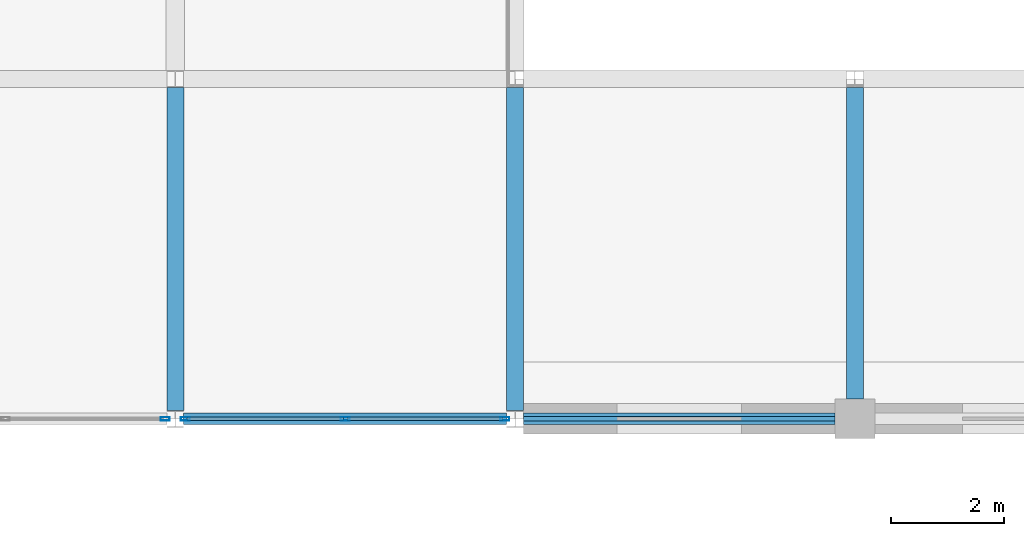
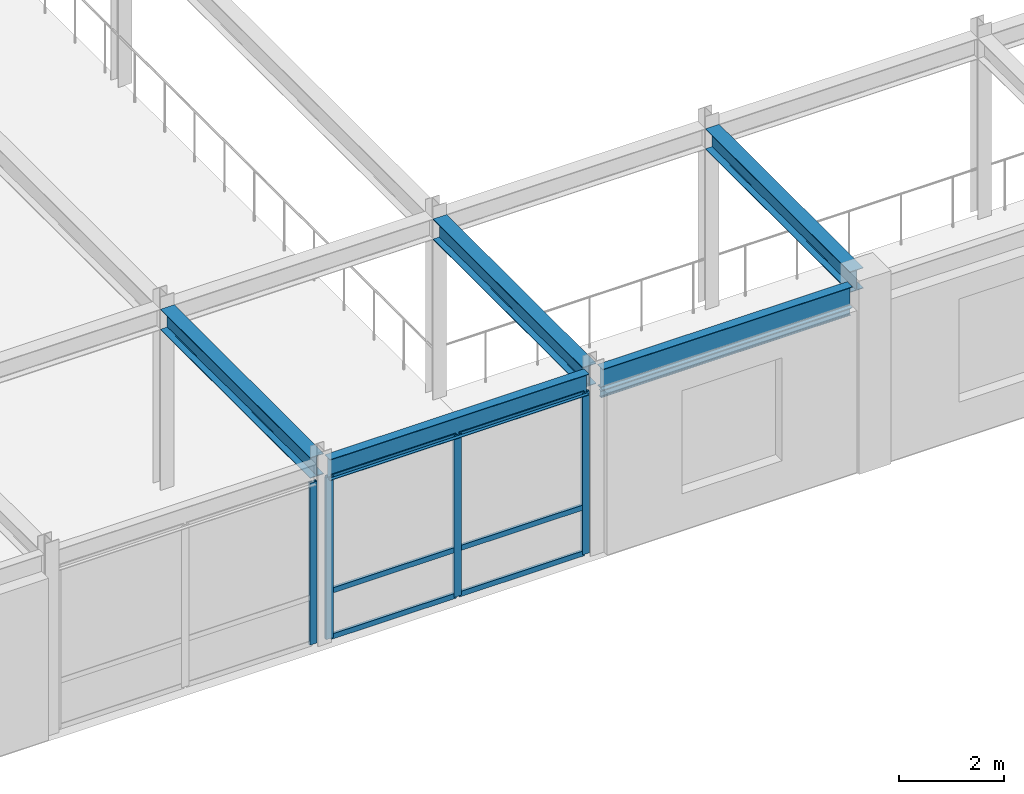
# One storey, part 52 of 108: 10 members, 6 beams, 2 elements without a shape of their own.
"""IFC4 building model written with IfcOpenShell, lengths in metres."""

import ifcopenshell
import ifcopenshell.guid

model = None  # the IFC model being written
_history = None  # IfcOwnerHistory: only IFC2X3 demands one
_inside = {}  # id of a spatial element -> (the spatial element, [elements in it])
_under = {}  # id of a project, library or spatial element -> (it, [spatial elements below it])
_declared = {}  # id of a project -> (the project, [libraries it declares])
_typed = {}  # id of a type object -> (the type object, [elements of that type])
_made_of = {}  # id of a material, layer set ... -> (it, [elements and type objects made of it])


def new_model(schema):
    """Start an empty IFC model of exactly this schema.

    Asked for "IFC4X3", IfcOpenShell would pick the latest addendum, in which some entities
    have other attributes; the version numbers below select the first issue.
    IFC2X3 requires an IfcOwnerHistory on every rooted entity: one is made here for all.
    """
    global model, _history
    if schema == "IFC4X3":
        model = ifcopenshell.file(schema_version=(4, 3, 0, 0))
    else:
        model = ifcopenshell.file(schema=schema)
    _inside.clear()
    _under.clear()
    _declared.clear()
    _typed.clear()
    _made_of.clear()
    _history = None
    if model.schema == "IFC2X3":
        org = make("IfcOrganization", Name="unknown")
        user = make(
            "IfcPersonAndOrganization",
            ThePerson=make("IfcPerson", FamilyName="unknown"),
            TheOrganization=org,
        )
        app = make(
            "IfcApplication",
            ApplicationDeveloper=org,
            Version="unknown",
            ApplicationFullName="unknown",
            ApplicationIdentifier="unknown",
        )
        _history = make(
            "IfcOwnerHistory",
            OwningUser=user,
            OwningApplication=app,
            ChangeAction="ADDED",
            CreationDate=0,
        )
    return model


def make(cls, **values):
    """One entity of the class cls with the attributes given. An attribute that is None is left unset."""
    return model.create_entity(
        cls, **{name: value for name, value in values.items() if value is not None}
    )


def rooted(cls, **values):
    """An entity with a GlobalId (a new one), such as an element, a storey or a relation."""
    return make(cls, GlobalId=ifcopenshell.guid.new(), OwnerHistory=_history, **values)


def si_unit(unit_type, name, prefix=None):
    """IfcSIUnit, for example si_unit("LENGTHUNIT", "METRE", prefix="MILLI")."""
    return make("IfcSIUnit", UnitType=unit_type, Prefix=prefix, Name=name)


def assignment(units):
    """IfcUnitAssignment: the units of a project."""
    return None if units is None else make("IfcUnitAssignment", Units=units)


def point(xyz):
    """IfcCartesianPoint."""
    return None if xyz is None else make("IfcCartesianPoint", Coordinates=xyz)


def direction(xyz):
    """IfcDirection."""
    return None if xyz is None else make("IfcDirection", DirectionRatios=xyz)


def frame(location, z_axis=None, x_axis=None):
    """IfcAxis2Placement3D, a coordinate frame: its origin and axes. An axis left out is left unset."""
    return make(
        "IfcAxis2Placement3D",
        Location=point(location),
        Axis=direction(z_axis),
        RefDirection=direction(x_axis),
    )


def frame_2d(location, x_axis=None):
    """IfcAxis2Placement2D, a coordinate frame in the plane: its origin and x axis."""
    return make(
        "IfcAxis2Placement2D", Location=point(location), RefDirection=direction(x_axis)
    )


def origin():
    """The frame at (0, 0, 0) with its axes left unset."""
    return frame((0.0, 0.0, 0.0))


def origin_2d():
    """The frame at (0, 0) in the plane with its x axis left unset."""
    return frame_2d((0.0, 0.0))


def place(relative_to, where):
    """IfcLocalPlacement: puts the frame where relative to a parent placement (None: the world)."""
    return make(
        "IfcLocalPlacement", PlacementRelTo=relative_to, RelativePlacement=where
    )


def context(
    kind, dimensions, precision=None, world=None, true_north=None, identifier=None
):
    """IfcGeometricRepresentationContext, for example the 3D "Model" context."""
    return make(
        "IfcGeometricRepresentationContext",
        ContextIdentifier=identifier,
        ContextType=kind,
        CoordinateSpaceDimension=dimensions,
        Precision=precision,
        WorldCoordinateSystem=world,
        TrueNorth=true_north,
    )


def subcontext(parent, identifier, kind, view, scale=None):
    """IfcGeometricRepresentationSubContext, for example "Body" below "Model"."""
    return make(
        "IfcGeometricRepresentationSubContext",
        ContextIdentifier=identifier,
        ContextType=kind,
        ParentContext=parent,
        TargetScale=scale,
        TargetView=view,
    )


def project(units=None, contexts=None):
    """IfcProject with its units and contexts."""
    return rooted(
        "IfcProject",
        Name="project",
        RepresentationContexts=contexts,
        UnitsInContext=assignment(units),
    )


def spatial(cls, under=None, at=None, **own):
    """A site, building, storey or space (cls), placed at a placement, below another one or the project."""
    s = rooted(cls, ObjectPlacement=at, **own)
    if under is not None:
        _under.setdefault(under.id(), (under, []))[1].append(s)
    return s


def profile(cls, at=None, kind="AREA", **sizes):
    """A parametric profile (cls). Its sizes go by their IFC names, for example OverallWidth=200.0."""
    return make(cls, ProfileType=kind, Position=at, **sizes)


def hollow_rectangle(**sizes):
    """IfcRectangleHollowProfileDef."""
    return profile("IfcRectangleHollowProfileDef", **sizes)


def i_section(**sizes):
    """IfcIShapeProfileDef."""
    return profile("IfcIShapeProfileDef", **sizes)


def extrude(swept, where, along, depth):
    """IfcExtrudedAreaSolid: the profile swept, set in the frame where, extruded along a direction by depth."""
    return make(
        "IfcExtrudedAreaSolid",
        SweptArea=swept,
        Position=where,
        ExtrudedDirection=direction(along),
        Depth=depth,
    )


def shape(context_of_items, identifier, shape_type, items):
    """IfcShapeRepresentation: the items that make up one representation, for example the "Body"."""
    return make(
        "IfcShapeRepresentation",
        ContextOfItems=context_of_items,
        RepresentationIdentifier=identifier,
        RepresentationType=shape_type,
        Items=items,
    )


def material(Name=None, Category=None):
    """IfcMaterial."""
    return make("IfcMaterial", Name=Name, Category=Category)


def layer(
    of_material, thickness, ventilated=None, Name=None, Category=None, Priority=None
):
    """IfcMaterialLayer: one layer of a wall or slab, of a material (None: an air gap)."""
    return make(
        "IfcMaterialLayer",
        Material=of_material,
        LayerThickness=thickness,
        IsVentilated=ventilated,
        Name=Name,
        Category=Category,
        Priority=Priority,
    )


def layer_set(layers, Name=None):
    """IfcMaterialLayerSet."""
    return make("IfcMaterialLayerSet", MaterialLayers=layers, LayerSetName=Name)


def material_profile(
    of_material, cross_section, Name=None, Category=None, Priority=None
):
    """IfcMaterialProfile: a cross section and its material."""
    return make(
        "IfcMaterialProfile",
        Name=Name,
        Material=of_material,
        Profile=cross_section,
        Priority=Priority,
        Category=Category,
    )


def profile_set(profiles, Name=None, composite=None):
    """IfcMaterialProfileSet."""
    return make(
        "IfcMaterialProfileSet",
        Name=Name,
        MaterialProfiles=profiles,
        CompositeProfile=composite,
    )


def made_of(thing, what):
    """Note that an element or type object is made of a material, layer set ...; save() writes the relation."""
    if what is not None:
        _made_of.setdefault(what.id(), (what, []))[1].append(thing)
    return thing


def type_object(cls, material=None, **own):
    """A type object (cls), such as IfcWallType, which elements share."""
    return made_of(rooted(cls, **own), material)


def element(
    cls,
    number,
    at=None,
    inside=None,
    cuts=None,
    type_object=None,
    material=None,
    context=None,
    identifier="Body",
    shape_type=None,
    held_by="IfcProductDefinitionShape",
    body=None,
    shapes=None,
    **own,
):
    """One element of the class cls, such as IfcWall. Its Tag is "e" and its number.

    at: its placement. inside: the storey or other place that contains it. cuts: it is an
    opening in that element (IfcRelVoidsElement). A single representation is given by context,
    identifier, shape_type and body (its items); several are given by shapes. held_by: the class
    of the entity that holds the representations. save() writes the other relations.
    """
    e = rooted(cls, Tag="e%d" % number, ObjectPlacement=at, **own)
    if body is not None:
        shapes = [shape(context, identifier, shape_type, body)]
    if shapes is not None:
        e.Representation = make(held_by, Representations=shapes)
    if inside is not None:
        _inside.setdefault(inside.id(), (inside, []))[1].append(e)
    if cuts is not None:
        rooted(
            "IfcRelVoidsElement", RelatingBuildingElement=cuts, RelatedOpeningElement=e
        )
    if type_object is not None:
        _typed.setdefault(type_object.id(), (type_object, []))[1].append(e)
    return made_of(e, material)


def aggregate(whole, parts):
    """IfcRelAggregates: a whole, such as a stair, and the parts it consists of."""
    return rooted("IfcRelAggregates", RelatingObject=whole, RelatedObjects=parts)


def save(model, path):
    """Write the relations noted so far, then the file.

    IfcRelAggregates (storeys below a building ...), IfcRelContainedInSpatialStructure (elements
    in a storey), IfcRelDefinesByType, IfcRelAssociatesMaterial and IfcRelDeclares: one each for
    every whole, place, type object, material and project.
    """
    for whole, parts in _under.values():
        aggregate(whole, parts)
    for where, things in _inside.values():
        rooted(
            "IfcRelContainedInSpatialStructure",
            RelatedElements=things,
            RelatingStructure=where,
        )
    for kind, things in _typed.values():
        rooted("IfcRelDefinesByType", RelatedObjects=things, RelatingType=kind)
    for what, things in _made_of.values():
        rooted("IfcRelAssociatesMaterial", RelatedObjects=things, RelatingMaterial=what)
    for by, libraries in _declared.values():
        rooted("IfcRelDeclares", RelatingContext=by, RelatedDefinitions=libraries)
    model.write(path)


model = new_model("IFC4")

# Units and contexts
model_context = context("Model", 3, precision=1e-05, world=origin(), true_north=direction((0.0, 1.0)))
body_context = subcontext(model_context, "Body", "Model", "MODEL_VIEW")
ifc_project = project(units=[si_unit("LENGTHUNIT", "METRE"), si_unit("AREAUNIT", "SQUARE_METRE"), si_unit("VOLUMEUNIT", "CUBIC_METRE"), si_unit("PLANEANGLEUNIT", "RADIAN"), si_unit("MASSUNIT", "GRAM", prefix="KILO")], contexts=[model_context])

# Site, building, storey
site_placement = place(None, origin())
site = spatial("IfcSite", under=ifc_project, at=site_placement, CompositionType="ELEMENT")
building_placement = place(site_placement, origin())
building = spatial("IfcBuilding", under=site, at=building_placement, Name="Zlatovratsky Civic Hall", CompositionType="ELEMENT")
storey_placement = place(building_placement, frame((0.0, 0.0, 12.0)))
storey = spatial("IfcBuildingStorey", under=building, at=storey_placement, Name="L03", CompositionType="ELEMENT", Elevation=12.0)

# Beams
ifc_material_1 = material(Name="Steel S355", Category="steel")
ifc_material_profile_1 = material_profile(ifc_material_1, i_section(OverallWidth=0.300048828125, OverallDepth=0.48193359375, WebThickness=0.010986328125, FlangeThickness=0.014892578125, FilletRadius=0.02392578125, at=origin_2d()), Name="50Sh1")
ifc_profile_set_1 = profile_set([ifc_material_profile_1], Name="Steel S355")
beam_type_1 = type_object("IfcBeamType", Name="Beam_LibraryGirder_50Sh1", PredefinedType="BEAM", material=ifc_profile_set_1)
for number, where, z_axis, x_axis, name in (
    (1, (66.0, 12.14794921875, 3.97900390625), (0.0, 1.0, 0.0), (-1.0, 0.0, 0.0), "BM-2916"),
    (2, (72.0, 12.14794921875, 3.97900390625), (0.0, 1.0, 0.0), (-1.0, 0.0, 0.0), "BM-2932"),
):
    element("IfcBeam", number, at=place(storey_placement, frame(where, z_axis=z_axis, x_axis=x_axis)), inside=storey, type_object=beam_type_1, Name=name, PredefinedType="BEAM", context=body_context, shape_type="SweptSolid", body=[
        extrude(i_section(OverallWidth=0.300048828125, OverallDepth=0.48193359375, WebThickness=0.010986328125, FlangeThickness=0.014892578125, FilletRadius=0.02392578125, at=origin_2d()), origin(), (0.0, 0.0, 1.0), 5.7041015625),
    ])
beam_1_placement = place(storey_placement, frame((78.0, 12.35009765625, 3.97900390625), z_axis=(0.0, 1.0, 0.0), x_axis=(-1.0, 0.0, 0.0)))
element("IfcBeam", 3, at=beam_1_placement, inside=storey, type_object=beam_type_1, Name="BM-2943", PredefinedType="BEAM", context=body_context, shape_type="SweptSolid", body=[
    extrude(i_section(OverallWidth=0.300048828125, OverallDepth=0.48193359375, WebThickness=0.010986328125, FlangeThickness=0.014892578125, FilletRadius=0.02392578125, at=origin_2d()), origin(), (0.0, 0.0, 1.0), 5.501953125),
])
ifc_material_profile_2 = material_profile(ifc_material_1, i_section(OverallWidth=0.198974609375, OverallDepth=0.491943359375, WebThickness=0.0087890625, FlangeThickness=0.011962890625, FilletRadius=0.01611328125, at=origin_2d()), Name="50B1")
ifc_profile_set_2 = profile_set([ifc_material_profile_2], Name="Steel S355")
beam_type_2 = type_object("IfcBeamType", Name="Beam_Spandrel_50B1", PredefinedType="SPANDREL", material=ifc_profile_set_2)
beam_2_placement = place(storey_placement, frame((66.1494140625, 12.0, 3.97412109375), z_axis=(1.0, 0.0, 0.0), x_axis=(0.0, 1.0, 0.0)))
element("IfcBeam", 4, at=beam_2_placement, inside=storey, type_object=beam_type_2, Name="BM-2489", PredefinedType="SPANDREL", context=body_context, shape_type="SweptSolid", body=[
    extrude(i_section(OverallWidth=0.198974609375, OverallDepth=0.491943359375, WebThickness=0.0087890625, FlangeThickness=0.011962890625, FilletRadius=0.01611328125, at=origin_2d()), origin(), (0.0, 0.0, 1.0), 5.701171875),
])
beam_3_placement = place(storey_placement, frame((72.1494140625, 12.0, 3.97412109375), z_axis=(1.0, 0.0, 0.0), x_axis=(0.0, 1.0, 0.0)))
element("IfcBeam", 5, at=beam_3_placement, inside=storey, type_object=beam_type_2, Name="BM-2490", PredefinedType="SPANDREL", context=body_context, shape_type="SweptSolid", body=[
    extrude(i_section(OverallWidth=0.198974609375, OverallDepth=0.491943359375, WebThickness=0.0087890625, FlangeThickness=0.011962890625, FilletRadius=0.01611328125, at=origin_2d()), origin(), (0.0, 0.0, 1.0), 5.50048828125),
])

# Curtain wall, member
ifc_material_2 = material(Name="Anodised bronze aluminium", Category="aluminium")
ifc_layer = layer(ifc_material_2, 0.159912109375)
ifc_layer_set = layer_set([ifc_layer], Name="Anodised bronze aluminium")
curtain_wall_type = type_object("IfcCurtainWallType", Name="CurtainWall_Bronze_5700x3770_08", PredefinedType="NOTDEFINED", material=ifc_layer_set)
curtain_wall_1_placement = place(storey_placement, origin())
curtain_wall_1 = element("IfcCurtainWall", 6, at=curtain_wall_1_placement, inside=storey, type_object=curtain_wall_type, Name="CW-047", PredefinedType="NOTDEFINED")
ifc_material_profile_3 = material_profile(ifc_material_2, hollow_rectangle(XDim=0.06005859375, YDim=0.159912109375, WallThickness=0.00390625, at=origin_2d()), Name="ALU 60x160x4")
ifc_profile_set_3 = profile_set([ifc_material_profile_3], Name="Anodised bronze aluminium")
member_type_1 = type_object("IfcMemberType", Name="CW_Mullion_60x160", PredefinedType="MULLION", material=ifc_profile_set_3)
member_1_placement = place(storey_placement, frame((65.820556640625, 12.0, 0.0), z_axis=(0.0, 0.0, 1.0), x_axis=(0.0, 1.0, 0.0)))
member_1 = element("IfcMember", 7, at=member_1_placement, type_object=member_type_1, Name="CW-08 mullion 3", PredefinedType="MULLION", context=body_context, shape_type="SweptSolid", body=[
    extrude(hollow_rectangle(XDim=0.06005859375, YDim=0.159912109375, WallThickness=0.00390625, at=origin_2d()), origin(), (0.0, 0.0, 1.0), 3.77001953125),
])
aggregate(curtain_wall_1, [member_1])

# Curtain wall, members
curtain_wall_2_placement = place(storey_placement, origin())
curtain_wall_2 = element("IfcCurtainWall", 8, at=curtain_wall_2_placement, inside=storey, type_object=curtain_wall_type, Name="CW-048", PredefinedType="NOTDEFINED")
member_2_placement = place(storey_placement, frame((66.179443359375, 12.0, 0.0), z_axis=(0.0, 0.0, 1.0), x_axis=(0.0, 1.0, 0.0)))
member_2 = element("IfcMember", 9, at=member_2_placement, type_object=member_type_1, Name="CW-08 mullion 1", PredefinedType="MULLION", context=body_context, shape_type="SweptSolid", body=[
    extrude(hollow_rectangle(XDim=0.06005859375, YDim=0.159912109375, WallThickness=0.00390625, at=origin_2d()), origin(), (0.0, 0.0, 1.0), 3.77001953125),
])
member_3_placement = place(storey_placement, frame((69.0, 12.0, 0.0), z_axis=(0.0, 0.0, 1.0), x_axis=(0.0, 1.0, 0.0)))
member_3 = element("IfcMember", 10, at=member_3_placement, type_object=member_type_1, Name="CW-08 mullion 2", PredefinedType="MULLION", context=body_context, shape_type="SweptSolid", body=[
    extrude(hollow_rectangle(XDim=0.06005859375, YDim=0.159912109375, WallThickness=0.00390625, at=origin_2d()), origin(), (0.0, 0.0, 1.0), 3.77001953125),
])
member_4_placement = place(storey_placement, frame((71.820556640625, 12.0, 0.0), z_axis=(0.0, 0.0, 1.0), x_axis=(0.0, 1.0, 0.0)))
member_4 = element("IfcMember", 11, at=member_4_placement, type_object=member_type_1, Name="CW-08 mullion 3", PredefinedType="MULLION", context=body_context, shape_type="SweptSolid", body=[
    extrude(hollow_rectangle(XDim=0.06005859375, YDim=0.159912109375, WallThickness=0.00390625, at=origin_2d()), origin(), (0.0, 0.0, 1.0), 3.77001953125),
])
ifc_material_profile_4 = material_profile(ifc_material_2, hollow_rectangle(XDim=0.06005859375, YDim=0.1201171875, WallThickness=0.00390625, at=origin_2d()), Name="ALU 60x120x4")
ifc_profile_set_4 = profile_set([ifc_material_profile_4], Name="Anodised bronze aluminium")
member_type_2 = type_object("IfcMemberType", Name="CW_Transom_60x120", PredefinedType="USERDEFINED", material=ifc_profile_set_4)
member_5_placement = place(storey_placement, frame((66.20947265625, 12.0, 0.030029296875), z_axis=(1.0, 0.0, 0.0), x_axis=(0.0, 1.0, 0.0)))
member_5 = element("IfcMember", 12, at=member_5_placement, type_object=member_type_2, Name="CW-08 transom 1.1", ObjectType="TRANSOM", PredefinedType="USERDEFINED", context=body_context, shape_type="SweptSolid", body=[
    extrude(hollow_rectangle(XDim=0.06005859375, YDim=0.1201171875, WallThickness=0.00390625, at=origin_2d()), origin(), (0.0, 0.0, 1.0), 2.760498046875),
])
member_6_placement = place(storey_placement, frame((66.20947265625, 12.0, 1.10009765625), z_axis=(1.0, 0.0, 0.0), x_axis=(0.0, 1.0, 0.0)))
member_6 = element("IfcMember", 13, at=member_6_placement, type_object=member_type_2, Name="CW-08 transom 1.2", ObjectType="TRANSOM", PredefinedType="USERDEFINED", context=body_context, shape_type="SweptSolid", body=[
    extrude(hollow_rectangle(XDim=0.06005859375, YDim=0.1201171875, WallThickness=0.00390625, at=origin_2d()), origin(), (0.0, 0.0, 1.0), 2.760498046875),
])
member_7_placement = place(storey_placement, frame((66.20947265625, 12.0, 3.739990234375), z_axis=(1.0, 0.0, 0.0), x_axis=(0.0, 1.0, 0.0)))
member_7 = element("IfcMember", 14, at=member_7_placement, type_object=member_type_2, Name="CW-08 transom 1.3", ObjectType="TRANSOM", PredefinedType="USERDEFINED", context=body_context, shape_type="SweptSolid", body=[
    extrude(hollow_rectangle(XDim=0.06005859375, YDim=0.1201171875, WallThickness=0.00390625, at=origin_2d()), origin(), (0.0, 0.0, 1.0), 2.760498046875),
])
member_8_placement = place(storey_placement, frame((69.030029296875, 12.0, 0.030029296875), z_axis=(1.0, 0.0, 0.0), x_axis=(0.0, 1.0, 0.0)))
member_8 = element("IfcMember", 15, at=member_8_placement, type_object=member_type_2, Name="CW-08 transom 2.1", ObjectType="TRANSOM", PredefinedType="USERDEFINED", context=body_context, shape_type="SweptSolid", body=[
    extrude(hollow_rectangle(XDim=0.06005859375, YDim=0.1201171875, WallThickness=0.00390625, at=origin_2d()), origin(), (0.0, 0.0, 1.0), 2.760498046875),
])
member_9_placement = place(storey_placement, frame((69.030029296875, 12.0, 1.10009765625), z_axis=(1.0, 0.0, 0.0), x_axis=(0.0, 1.0, 0.0)))
member_9 = element("IfcMember", 16, at=member_9_placement, type_object=member_type_2, Name="CW-08 transom 2.2", ObjectType="TRANSOM", PredefinedType="USERDEFINED", context=body_context, shape_type="SweptSolid", body=[
    extrude(hollow_rectangle(XDim=0.06005859375, YDim=0.1201171875, WallThickness=0.00390625, at=origin_2d()), origin(), (0.0, 0.0, 1.0), 2.760498046875),
])
member_10_placement = place(storey_placement, frame((69.030029296875, 12.0, 3.739990234375), z_axis=(1.0, 0.0, 0.0), x_axis=(0.0, 1.0, 0.0)))
member_10 = element("IfcMember", 17, at=member_10_placement, type_object=member_type_2, Name="CW-08 transom 2.3", ObjectType="TRANSOM", PredefinedType="USERDEFINED", context=body_context, shape_type="SweptSolid", body=[
    extrude(hollow_rectangle(XDim=0.06005859375, YDim=0.1201171875, WallThickness=0.00390625, at=origin_2d()), origin(), (0.0, 0.0, 1.0), 2.760498046875),
])
aggregate(curtain_wall_2, [member_2, member_3, member_4, member_5, member_6, member_7, member_8, member_9, member_10])

# Beam
ifc_material_profile_5 = material_profile(ifc_material_1, i_section(OverallWidth=0.08203125, OverallDepth=0.156982421875, WebThickness=0.00390625, FlangeThickness=0.005859375, FilletRadius=0.009033203125, at=origin_2d()), Name="16B1")
ifc_profile_set_5 = profile_set([ifc_material_profile_5], Name="Steel S355")
beam_type_3 = type_object("IfcBeamType", Name="Lintel_Window_16B1", PredefinedType="LINTEL", material=ifc_profile_set_5)
beam_4_placement = place(storey_placement, frame((72.1494140625, 12.0, 3.60009765625), z_axis=(1.0, 0.0, 0.0), x_axis=(0.0, 1.0, 0.0)))
element("IfcBeam", 18, at=beam_4_placement, inside=storey, type_object=beam_type_3, Name="BM-5404", PredefinedType="LINTEL", context=body_context, shape_type="SweptSolid", body=[
    extrude(i_section(OverallWidth=0.08203125, OverallDepth=0.156982421875, WebThickness=0.00390625, FlangeThickness=0.005859375, FilletRadius=0.009033203125, at=origin_2d()), origin(), (0.0, 0.0, 1.0), 5.50048828125),
])

save(model, "model.ifc")
